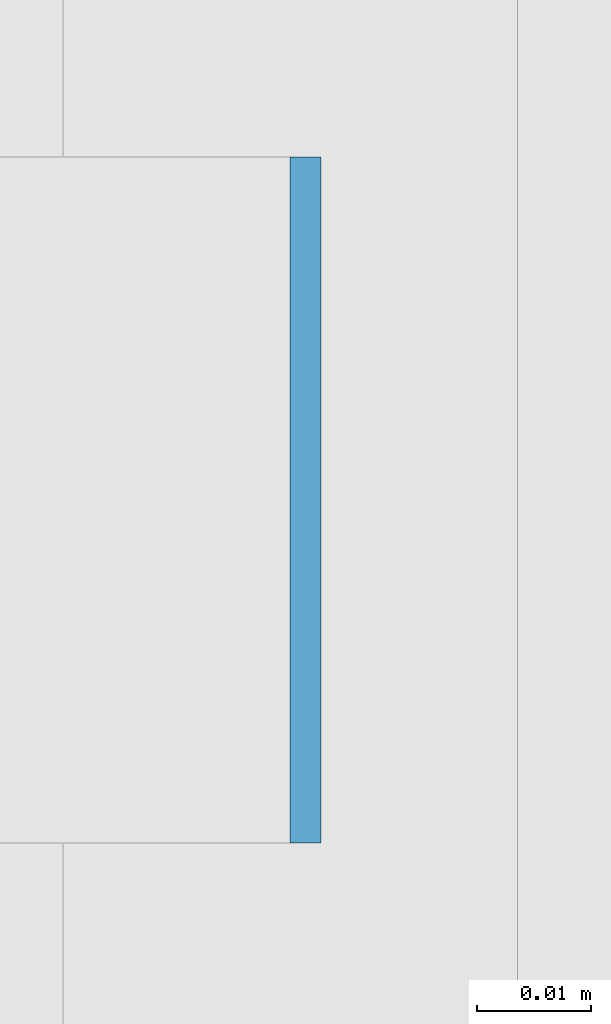
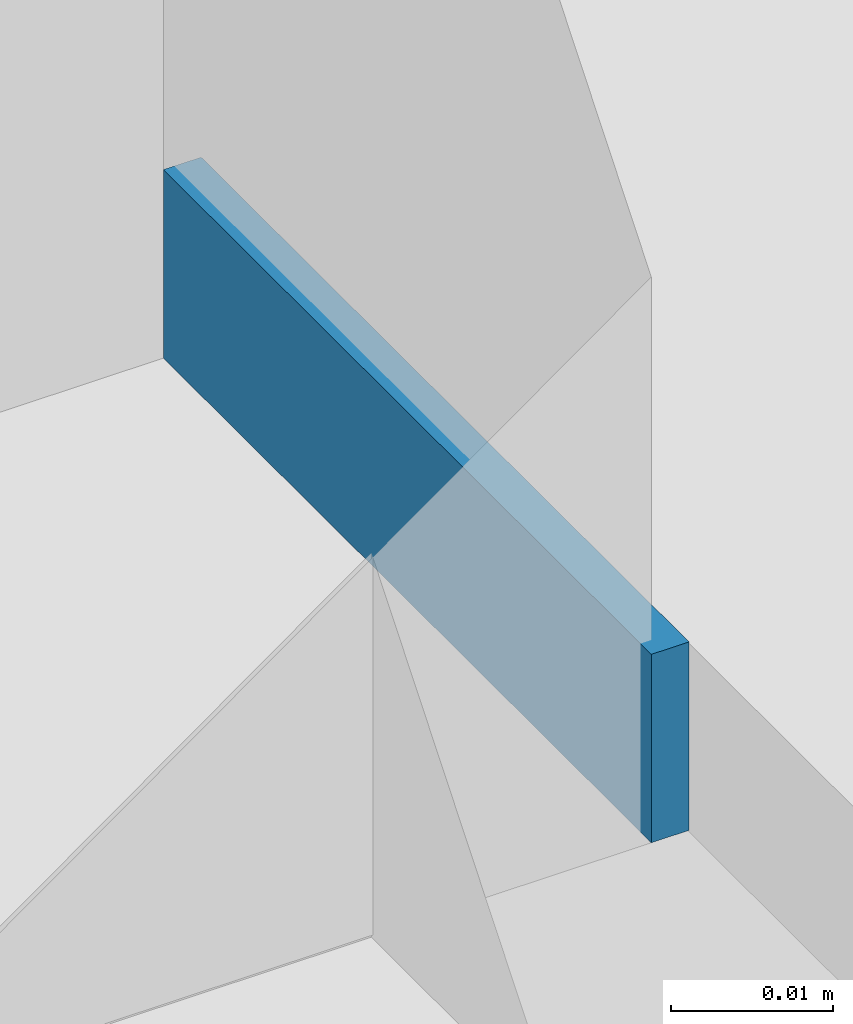
# One storey, part 246 of 646: 1 discrete accessory.
"""IFC4 building model written with IfcOpenShell, lengths in metres."""

from ifc_helpers import new_model, si_unit, direction, frame, origin, origin_2d, place, context, subcontext, project, spatial, rectangle, extrude, material, type_object, element, save


model = new_model("IFC4")

# Units and contexts
model_context = context("Model", 3, precision=1e-05, world=origin(), true_north=direction((0.0, 1.0)))
body_context = subcontext(model_context, "Body", "Model", "MODEL_VIEW")
ifc_project = project(units=[si_unit("LENGTHUNIT", "METRE"), si_unit("AREAUNIT", "SQUARE_METRE"), si_unit("VOLUMEUNIT", "CUBIC_METRE"), si_unit("PLANEANGLEUNIT", "RADIAN"), si_unit("MASSUNIT", "GRAM", prefix="KILO")], contexts=[model_context])

# Site, building, storey
site_placement = place(None, origin())
site = spatial("IfcSite", under=ifc_project, at=site_placement, CompositionType="ELEMENT")
building_placement = place(site_placement, origin())
building = spatial("IfcBuilding", under=site, at=building_placement, Name="Silverbay Arena", CompositionType="ELEMENT")
storey_placement = place(building_placement, frame((0.0, 0.0, 33.5)))
storey = spatial("IfcBuildingStorey", under=building, at=storey_placement, Name="L05", CompositionType="ELEMENT", Elevation=33.5)

# Discrete accessory
ifc_material = material(Name="Steel S355", Category="steel")
discrete_accessory_type = type_object("IfcDiscreteAccessoryType", Name="Steel bracket plate", PredefinedType="BRACKET", material=ifc_material)
discrete_accessory_placement = place(storey_placement, frame((53.871337890625, 31.699951171875, 4.0), z_axis=(0.0, 0.0, 1.0), x_axis=(1.0, 0.0, 0.0)))
element("IfcDiscreteAccessory", 1, at=discrete_accessory_placement, inside=storey, type_object=discrete_accessory_type, Name="Curtain wall packing plate", PredefinedType="BRACKET", context=body_context, shape_type="SweptSolid", body=[
    extrude(rectangle(XDim=0.002685546875, YDim=0.06005859375, at=origin_2d()), origin(), (0.0, 0.0, 1.0), 0.01416015625),
])

save(model, "model.ifc")
